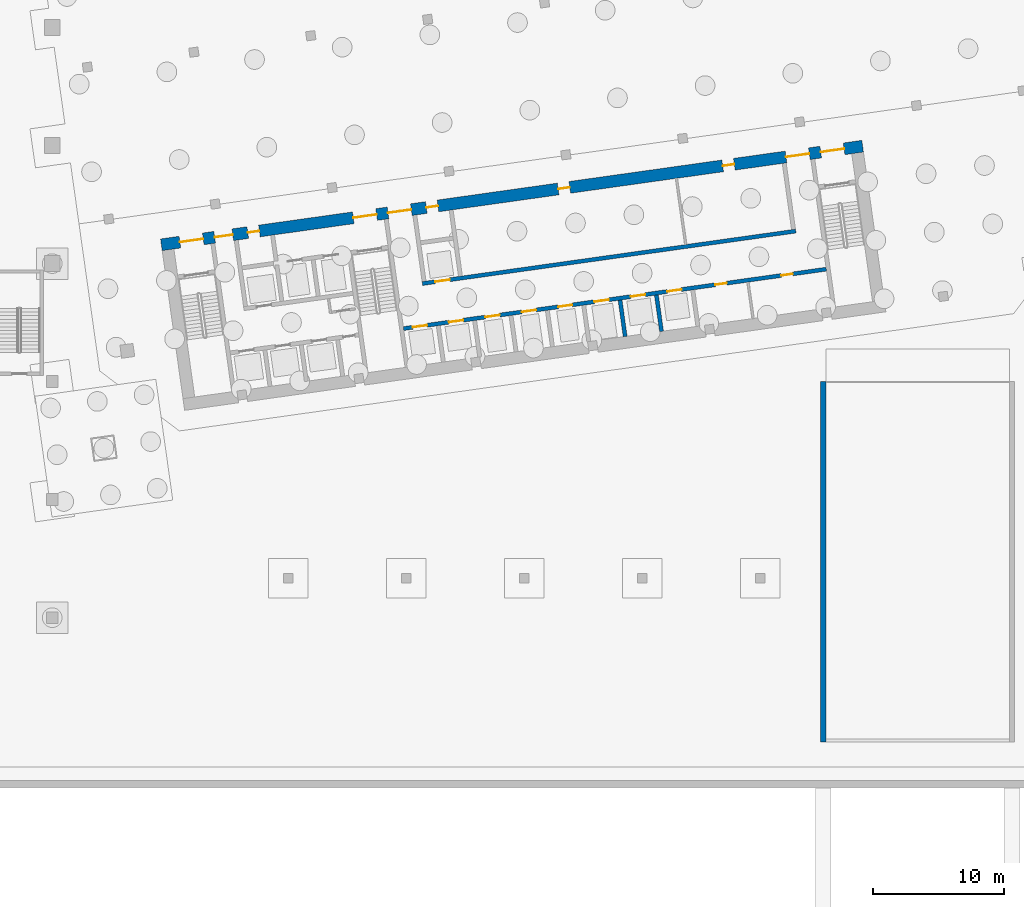
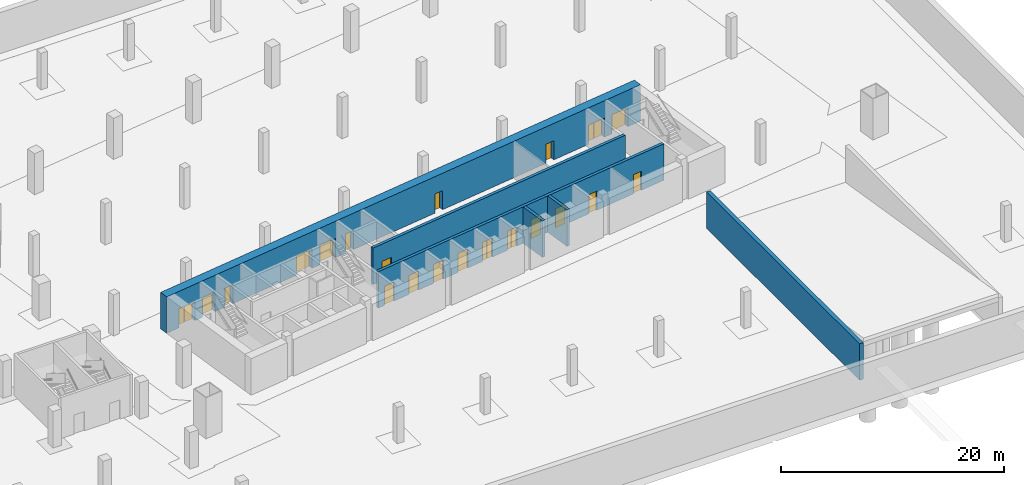
# One storey, part 11 of 19: 21 doors, 6 walls, 21 openings.
"""IFC4 building model written with IfcOpenShell, lengths in metres."""

import ifcopenshell
import ifcopenshell.guid

model = None  # the IFC model being written
_history = None  # IfcOwnerHistory: only IFC2X3 demands one
_inside = {}  # id of a spatial element -> (the spatial element, [elements in it])
_under = {}  # id of a project, library or spatial element -> (it, [spatial elements below it])
_declared = {}  # id of a project -> (the project, [libraries it declares])
_typed = {}  # id of a type object -> (the type object, [elements of that type])
_made_of = {}  # id of a material, layer set ... -> (it, [elements and type objects made of it])


def new_model(schema):
    """Start an empty IFC model of exactly this schema.

    Asked for "IFC4X3", IfcOpenShell would pick the latest addendum, in which some entities
    have other attributes; the version numbers below select the first issue.
    IFC2X3 requires an IfcOwnerHistory on every rooted entity: one is made here for all.
    """
    global model, _history
    if schema == "IFC4X3":
        model = ifcopenshell.file(schema_version=(4, 3, 0, 0))
    else:
        model = ifcopenshell.file(schema=schema)
    _inside.clear()
    _under.clear()
    _declared.clear()
    _typed.clear()
    _made_of.clear()
    _history = None
    if model.schema == "IFC2X3":
        org = make("IfcOrganization", Name="unknown")
        user = make(
            "IfcPersonAndOrganization",
            ThePerson=make("IfcPerson", FamilyName="unknown"),
            TheOrganization=org,
        )
        app = make(
            "IfcApplication",
            ApplicationDeveloper=org,
            Version="unknown",
            ApplicationFullName="unknown",
            ApplicationIdentifier="unknown",
        )
        _history = make(
            "IfcOwnerHistory",
            OwningUser=user,
            OwningApplication=app,
            ChangeAction="ADDED",
            CreationDate=0,
        )
    return model


def make(cls, **values):
    """One entity of the class cls with the attributes given. An attribute that is None is left unset."""
    return model.create_entity(
        cls, **{name: value for name, value in values.items() if value is not None}
    )


def rooted(cls, **values):
    """An entity with a GlobalId (a new one), such as an element, a storey or a relation."""
    return make(cls, GlobalId=ifcopenshell.guid.new(), OwnerHistory=_history, **values)


def si_unit(unit_type, name, prefix=None):
    """IfcSIUnit, for example si_unit("LENGTHUNIT", "METRE", prefix="MILLI")."""
    return make("IfcSIUnit", UnitType=unit_type, Prefix=prefix, Name=name)


def assignment(units):
    """IfcUnitAssignment: the units of a project."""
    return None if units is None else make("IfcUnitAssignment", Units=units)


def point(xyz):
    """IfcCartesianPoint."""
    return None if xyz is None else make("IfcCartesianPoint", Coordinates=xyz)


def direction(xyz):
    """IfcDirection."""
    return None if xyz is None else make("IfcDirection", DirectionRatios=xyz)


def frame(location, z_axis=None, x_axis=None):
    """IfcAxis2Placement3D, a coordinate frame: its origin and axes. An axis left out is left unset."""
    return make(
        "IfcAxis2Placement3D",
        Location=point(location),
        Axis=direction(z_axis),
        RefDirection=direction(x_axis),
    )


def frame_2d(location, x_axis=None):
    """IfcAxis2Placement2D, a coordinate frame in the plane: its origin and x axis."""
    return make(
        "IfcAxis2Placement2D", Location=point(location), RefDirection=direction(x_axis)
    )


def origin():
    """The frame at (0, 0, 0) with its axes left unset."""
    return frame((0.0, 0.0, 0.0))


def place(relative_to, where):
    """IfcLocalPlacement: puts the frame where relative to a parent placement (None: the world)."""
    return make(
        "IfcLocalPlacement", PlacementRelTo=relative_to, RelativePlacement=where
    )


def context(
    kind, dimensions, precision=None, world=None, true_north=None, identifier=None
):
    """IfcGeometricRepresentationContext, for example the 3D "Model" context."""
    return make(
        "IfcGeometricRepresentationContext",
        ContextIdentifier=identifier,
        ContextType=kind,
        CoordinateSpaceDimension=dimensions,
        Precision=precision,
        WorldCoordinateSystem=world,
        TrueNorth=true_north,
    )


def subcontext(parent, identifier, kind, view, scale=None):
    """IfcGeometricRepresentationSubContext, for example "Body" below "Model"."""
    return make(
        "IfcGeometricRepresentationSubContext",
        ContextIdentifier=identifier,
        ContextType=kind,
        ParentContext=parent,
        TargetScale=scale,
        TargetView=view,
    )


def project(units=None, contexts=None):
    """IfcProject with its units and contexts."""
    return rooted(
        "IfcProject",
        Name="project",
        RepresentationContexts=contexts,
        UnitsInContext=assignment(units),
    )


def spatial(cls, under=None, at=None, **own):
    """A site, building, storey or space (cls), placed at a placement, below another one or the project."""
    s = rooted(cls, ObjectPlacement=at, **own)
    if under is not None:
        _under.setdefault(under.id(), (under, []))[1].append(s)
    return s


def profile(cls, at=None, kind="AREA", **sizes):
    """A parametric profile (cls). Its sizes go by their IFC names, for example OverallWidth=200.0."""
    return make(cls, ProfileType=kind, Position=at, **sizes)


def rectangle(**sizes):
    """IfcRectangleProfileDef."""
    return profile("IfcRectangleProfileDef", **sizes)


def extrude(swept, where, along, depth):
    """IfcExtrudedAreaSolid: the profile swept, set in the frame where, extruded along a direction by depth."""
    return make(
        "IfcExtrudedAreaSolid",
        SweptArea=swept,
        Position=where,
        ExtrudedDirection=direction(along),
        Depth=depth,
    )


def shape(context_of_items, identifier, shape_type, items):
    """IfcShapeRepresentation: the items that make up one representation, for example the "Body"."""
    return make(
        "IfcShapeRepresentation",
        ContextOfItems=context_of_items,
        RepresentationIdentifier=identifier,
        RepresentationType=shape_type,
        Items=items,
    )


def material(Name=None, Category=None):
    """IfcMaterial."""
    return make("IfcMaterial", Name=Name, Category=Category)


def layer(
    of_material, thickness, ventilated=None, Name=None, Category=None, Priority=None
):
    """IfcMaterialLayer: one layer of a wall or slab, of a material (None: an air gap)."""
    return make(
        "IfcMaterialLayer",
        Material=of_material,
        LayerThickness=thickness,
        IsVentilated=ventilated,
        Name=Name,
        Category=Category,
        Priority=Priority,
    )


def layer_set(layers, Name=None):
    """IfcMaterialLayerSet."""
    return make("IfcMaterialLayerSet", MaterialLayers=layers, LayerSetName=Name)


def made_of(thing, what):
    """Note that an element or type object is made of a material, layer set ...; save() writes the relation."""
    if what is not None:
        _made_of.setdefault(what.id(), (what, []))[1].append(thing)
    return thing


def type_object(cls, material=None, **own):
    """A type object (cls), such as IfcWallType, which elements share."""
    return made_of(rooted(cls, **own), material)


def element(
    cls,
    number,
    at=None,
    inside=None,
    cuts=None,
    type_object=None,
    material=None,
    context=None,
    identifier="Body",
    shape_type=None,
    held_by="IfcProductDefinitionShape",
    body=None,
    shapes=None,
    **own,
):
    """One element of the class cls, such as IfcWall. Its Tag is "e" and its number.

    at: its placement. inside: the storey or other place that contains it. cuts: it is an
    opening in that element (IfcRelVoidsElement). A single representation is given by context,
    identifier, shape_type and body (its items); several are given by shapes. held_by: the class
    of the entity that holds the representations. save() writes the other relations.
    """
    e = rooted(cls, Tag="e%d" % number, ObjectPlacement=at, **own)
    if body is not None:
        shapes = [shape(context, identifier, shape_type, body)]
    if shapes is not None:
        e.Representation = make(held_by, Representations=shapes)
    if inside is not None:
        _inside.setdefault(inside.id(), (inside, []))[1].append(e)
    if cuts is not None:
        rooted(
            "IfcRelVoidsElement", RelatingBuildingElement=cuts, RelatedOpeningElement=e
        )
    if type_object is not None:
        _typed.setdefault(type_object.id(), (type_object, []))[1].append(e)
    return made_of(e, material)


def fill(opening, filler):
    """IfcRelFillsElement: the door or window that sits in an opening."""
    return rooted(
        "IfcRelFillsElement",
        RelatingOpeningElement=opening,
        RelatedBuildingElement=filler,
    )


def aggregate(whole, parts):
    """IfcRelAggregates: a whole, such as a stair, and the parts it consists of."""
    return rooted("IfcRelAggregates", RelatingObject=whole, RelatedObjects=parts)


def save(model, path):
    """Write the relations noted so far, then the file.

    IfcRelAggregates (storeys below a building ...), IfcRelContainedInSpatialStructure (elements
    in a storey), IfcRelDefinesByType, IfcRelAssociatesMaterial and IfcRelDeclares: one each for
    every whole, place, type object, material and project.
    """
    for whole, parts in _under.values():
        aggregate(whole, parts)
    for where, things in _inside.values():
        rooted(
            "IfcRelContainedInSpatialStructure",
            RelatedElements=things,
            RelatingStructure=where,
        )
    for kind, things in _typed.values():
        rooted("IfcRelDefinesByType", RelatedObjects=things, RelatingType=kind)
    for what, things in _made_of.values():
        rooted("IfcRelAssociatesMaterial", RelatedObjects=things, RelatingMaterial=what)
    for by, libraries in _declared.values():
        rooted("IfcRelDeclares", RelatingContext=by, RelatedDefinitions=libraries)
    model.write(path)


model = new_model("IFC4")

# Units and contexts
model_context = context("Model", 3, precision=1e-05, world=origin(), true_north=direction((0.0, 1.0)))
body_context = subcontext(model_context, "Body", "Model", "MODEL_VIEW")
ifc_project = project(units=[si_unit("LENGTHUNIT", "METRE"), si_unit("AREAUNIT", "SQUARE_METRE"), si_unit("VOLUMEUNIT", "CUBIC_METRE"), si_unit("PLANEANGLEUNIT", "RADIAN"), si_unit("MASSUNIT", "GRAM", prefix="KILO")], contexts=[model_context])

# Site, building, storey
site_placement = place(None, origin())
site = spatial("IfcSite", under=ifc_project, at=site_placement, CompositionType="ELEMENT")
building_placement = place(site_placement, origin())
building = spatial("IfcBuilding", under=site, at=building_placement, Name="Mirante Cascada Hotel Towers", CompositionType="ELEMENT")
storey_placement = place(building_placement, frame((0.0, 0.0, -9.0)))
storey = spatial("IfcBuildingStorey", under=building, at=storey_placement, Name="B2", CompositionType="ELEMENT", Elevation=-9.0)

# Wall, openings, doors
ifc_material_1 = material(Name="Concrete C50/60", Category="concrete")
ifc_layer_1 = layer(ifc_material_1, 0.3)
ifc_layer_set_1 = layer_set([ifc_layer_1], Name="RC core wall 300 C50/60")
wall_type_1 = type_object("IfcWallType", Name="RC core wall 300 C50/60", PredefinedType="SHEAR", material=ifc_layer_set_1)
wall_1_placement = place(storey_placement, frame((53.7953, -13.9547, 0.0), z_axis=(0.0, 0.0, 1.0), x_axis=(0.990268, 0.1391733, 0.0)))
wall_1 = element("IfcWall", 1, at=wall_1_placement, inside=storey, type_object=wall_type_1, Name="Core wall T2:B2:24", PredefinedType="SHEAR", context=body_context, shape_type="SweptSolid", body=[
    extrude(rectangle(XDim=32.5501, YDim=0.3, at=frame_2d((16.275, 0.0))), origin(), (0.0, 0.0, 1.0), 4.0),
])
opening_1_placement = place(wall_1_placement, frame((0.7, 0.0, 0.0)))
opening_1 = element("IfcOpeningElement", 2, at=opening_1_placement, cuts=wall_1, Name="Opening LD", PredefinedType="OPENING", context=body_context, shape_type="SweptSolid", body=[
    extrude(rectangle(XDim=1.1, YDim=2.1, at=frame_2d((0.55, 1.05))), frame((0.0, 0.15, 0.0), z_axis=(0.0, -1.0, 0.0), x_axis=(1.0, 0.0, 0.0)), (0.0, 0.0, 1.0), 0.3),
])
opening_2_placement = place(wall_1_placement, frame((3.5, 0.0, 0.0)))
opening_2 = element("IfcOpeningElement", 3, at=opening_2_placement, cuts=wall_1, Name="Opening LD", PredefinedType="OPENING", context=body_context, shape_type="SweptSolid", body=[
    extrude(rectangle(XDim=1.1, YDim=2.1, at=frame_2d((0.55, 1.05))), frame((0.0, 0.15, 0.0), z_axis=(0.0, -1.0, 0.0), x_axis=(1.0, 0.0, 0.0)), (0.0, 0.0, 1.0), 0.3),
])
opening_3_placement = place(wall_1_placement, frame((6.3, 0.0, 0.0)))
opening_3 = element("IfcOpeningElement", 4, at=opening_3_placement, cuts=wall_1, Name="Opening LD", PredefinedType="OPENING", context=body_context, shape_type="SweptSolid", body=[
    extrude(rectangle(XDim=1.1, YDim=2.1, at=frame_2d((0.55, 1.05))), frame((0.0, 0.15, 0.0), z_axis=(0.0, -1.0, 0.0), x_axis=(1.0, 0.0, 0.0)), (0.0, 0.0, 1.0), 0.3),
])
opening_4_placement = place(wall_1_placement, frame((9.1, 0.0, 0.0)))
opening_4 = element("IfcOpeningElement", 5, at=opening_4_placement, cuts=wall_1, Name="Opening LD", PredefinedType="OPENING", context=body_context, shape_type="SweptSolid", body=[
    extrude(rectangle(XDim=1.1, YDim=2.1, at=frame_2d((0.55, 1.05))), frame((0.0, 0.15, 0.0), z_axis=(0.0, -1.0, 0.0), x_axis=(1.0, 0.0, 0.0)), (0.0, 0.0, 1.0), 0.3),
])
opening_5_placement = place(wall_1_placement, frame((11.9, 0.0, 0.0)))
opening_5 = element("IfcOpeningElement", 6, at=opening_5_placement, cuts=wall_1, Name="Opening LD", PredefinedType="OPENING", context=body_context, shape_type="SweptSolid", body=[
    extrude(rectangle(XDim=1.1, YDim=2.1, at=frame_2d((0.55, 1.05))), frame((0.0, 0.15, 0.0), z_axis=(0.0, -1.0, 0.0), x_axis=(1.0, 0.0, 0.0)), (0.0, 0.0, 1.0), 0.3),
])
opening_6_placement = place(wall_1_placement, frame((14.7, 0.0, 0.0)))
opening_6 = element("IfcOpeningElement", 7, at=opening_6_placement, cuts=wall_1, Name="Opening LD", PredefinedType="OPENING", context=body_context, shape_type="SweptSolid", body=[
    extrude(rectangle(XDim=1.1, YDim=2.1, at=frame_2d((0.55, 1.05))), frame((0.0, 0.15, 0.0), z_axis=(0.0, -1.0, 0.0), x_axis=(1.0, 0.0, 0.0)), (0.0, 0.0, 1.0), 0.3),
])
opening_7_placement = place(wall_1_placement, frame((17.5, 0.0, 0.0)))
opening_7 = element("IfcOpeningElement", 8, at=opening_7_placement, cuts=wall_1, Name="Opening LD", PredefinedType="OPENING", context=body_context, shape_type="SweptSolid", body=[
    extrude(rectangle(XDim=1.1, YDim=2.1, at=frame_2d((0.55, 1.05))), frame((0.0, 0.15, 0.0), z_axis=(0.0, -1.0, 0.0), x_axis=(1.0, 0.0, 0.0)), (0.0, 0.0, 1.0), 0.3),
])
opening_8_placement = place(wall_1_placement, frame((20.3, 0.0, 0.0)))
opening_8 = element("IfcOpeningElement", 9, at=opening_8_placement, cuts=wall_1, Name="Opening LD", PredefinedType="OPENING", context=body_context, shape_type="SweptSolid", body=[
    extrude(rectangle(XDim=1.1, YDim=2.1, at=frame_2d((0.55, 1.05))), frame((0.0, 0.15, 0.0), z_axis=(0.0, -1.0, 0.0), x_axis=(1.0, 0.0, 0.0)), (0.0, 0.0, 1.0), 0.3),
])
opening_9_placement = place(wall_1_placement, frame((24.0, 0.0, 0.0)))
opening_9 = element("IfcOpeningElement", 10, at=opening_9_placement, cuts=wall_1, Name="Opening D2-B2-C28", PredefinedType="OPENING", context=body_context, shape_type="SweptSolid", body=[
    extrude(rectangle(XDim=0.9, YDim=2.1, at=frame_2d((0.45, 1.05))), frame((0.0, 0.15, 0.0), z_axis=(0.0, -1.0, 0.0), x_axis=(1.0, 0.0, 0.0)), (0.0, 0.0, 1.0), 0.3),
])
opening_10_placement = place(wall_1_placement, frame((29.075, 0.0, 0.0)))
opening_10 = element("IfcOpeningElement", 11, at=opening_10_placement, cuts=wall_1, Name="Opening D2-B2-C29", PredefinedType="OPENING", context=body_context, shape_type="SweptSolid", body=[
    extrude(rectangle(XDim=0.9, YDim=2.1, at=frame_2d((0.45, 1.05))), frame((0.0, 0.15, 0.0), z_axis=(0.0, -1.0, 0.0), x_axis=(1.0, 0.0, 0.0)), (0.0, 0.0, 1.0), 0.3),
])
ifc_material_2 = material(Name="Hollow metal fire door leaf")
door_type_1 = type_object("IfcDoorType", Name="Fire door 900x2100 FD60", OperationType="NOTDEFINED", PredefinedType="DOOR", material=ifc_material_2)
door_1_placement = place(opening_9_placement, frame((0.9, 0.0, 0.0), z_axis=(0.0, 0.0, 1.0), x_axis=(-1.0, 0.0, 0.0)))
door_1 = element("IfcDoor", 12, at=door_1_placement, inside=storey, type_object=door_type_1, Name="Room door T2 B2 28", OperationType="SINGLE_SWING_RIGHT", OverallHeight=2.1, OverallWidth=0.9, PredefinedType="DOOR", context=body_context, shape_type="SweptSolid", body=[
    extrude(rectangle(XDim=0.9, YDim=2.1, at=frame_2d((0.45, 1.05))), frame((0.0, 0.025, 0.0), z_axis=(0.0, -1.0, 0.0), x_axis=(1.0, 0.0, 0.0)), (0.0, 0.0, 1.0), 0.05),
])
fill(opening_9, door_1)
door_2_placement = place(opening_10_placement, frame((0.9, 0.0, 0.0), z_axis=(0.0, 0.0, 1.0), x_axis=(-1.0, 0.0, 0.0)))
door_2 = element("IfcDoor", 13, at=door_2_placement, inside=storey, type_object=door_type_1, Name="Room door T2 B2 29", OperationType="SINGLE_SWING_RIGHT", OverallHeight=2.1, OverallWidth=0.9, PredefinedType="DOOR", context=body_context, shape_type="SweptSolid", body=[
    extrude(rectangle(XDim=0.9, YDim=2.1, at=frame_2d((0.45, 1.05))), frame((0.0, 0.025, 0.0), z_axis=(0.0, -1.0, 0.0), x_axis=(1.0, 0.0, 0.0)), (0.0, 0.0, 1.0), 0.05),
])
fill(opening_10, door_2)
ifc_material_3 = material(Name="Stainless steel", Category="steel")
door_type_2 = type_object("IfcDoorType", Name="Lift landing door 1100x2100 EI 120", OperationType="DOUBLE_DOOR_SLIDING", PredefinedType="DOOR", material=ifc_material_3)
door_3_placement = place(opening_1_placement, origin())
door_3 = element("IfcDoor", 14, at=door_3_placement, inside=storey, type_object=door_type_2, Name="Lift landing door LR2-1 B2", OperationType="DOUBLE_DOOR_SLIDING", OverallHeight=2.1, OverallWidth=1.1, PredefinedType="DOOR", context=body_context, shape_type="SweptSolid", body=[
    extrude(rectangle(XDim=0.545, YDim=2.1, at=frame_2d((0.2725, 1.05))), frame((0.0, 0.025, 0.0), z_axis=(0.0, -1.0, 0.0), x_axis=(1.0, 0.0, 0.0)), (0.0, 0.0, 1.0), 0.05),
    extrude(rectangle(XDim=0.545, YDim=2.1, at=frame_2d((0.8275, 1.05))), frame((0.0, 0.025, 0.0), z_axis=(0.0, -1.0, 0.0), x_axis=(1.0, 0.0, 0.0)), (0.0, 0.0, 1.0), 0.05),
])
fill(opening_1, door_3)
door_4_placement = place(opening_2_placement, origin())
door_4 = element("IfcDoor", 15, at=door_4_placement, inside=storey, type_object=door_type_2, Name="Lift landing door LR2-2 B2", OperationType="DOUBLE_DOOR_SLIDING", OverallHeight=2.1, OverallWidth=1.1, PredefinedType="DOOR", context=body_context, shape_type="SweptSolid", body=[
    extrude(rectangle(XDim=0.545, YDim=2.1, at=frame_2d((0.2725, 1.05))), frame((0.0, 0.025, 0.0), z_axis=(0.0, -1.0, 0.0), x_axis=(1.0, 0.0, 0.0)), (0.0, 0.0, 1.0), 0.05),
    extrude(rectangle(XDim=0.545, YDim=2.1, at=frame_2d((0.8275, 1.05))), frame((0.0, 0.025, 0.0), z_axis=(0.0, -1.0, 0.0), x_axis=(1.0, 0.0, 0.0)), (0.0, 0.0, 1.0), 0.05),
])
fill(opening_2, door_4)
door_5_placement = place(opening_3_placement, origin())
door_5 = element("IfcDoor", 16, at=door_5_placement, inside=storey, type_object=door_type_2, Name="Lift landing door SV2-1 B2", OperationType="DOUBLE_DOOR_SLIDING", OverallHeight=2.1, OverallWidth=1.1, PredefinedType="DOOR", context=body_context, shape_type="SweptSolid", body=[
    extrude(rectangle(XDim=0.545, YDim=2.1, at=frame_2d((0.2725, 1.05))), frame((0.0, 0.025, 0.0), z_axis=(0.0, -1.0, 0.0), x_axis=(1.0, 0.0, 0.0)), (0.0, 0.0, 1.0), 0.05),
    extrude(rectangle(XDim=0.545, YDim=2.1, at=frame_2d((0.8275, 1.05))), frame((0.0, 0.025, 0.0), z_axis=(0.0, -1.0, 0.0), x_axis=(1.0, 0.0, 0.0)), (0.0, 0.0, 1.0), 0.05),
])
fill(opening_3, door_5)
door_6_placement = place(opening_4_placement, origin())
door_6 = element("IfcDoor", 17, at=door_6_placement, inside=storey, type_object=door_type_2, Name="Lift landing door SV2-2 B2", OperationType="DOUBLE_DOOR_SLIDING", OverallHeight=2.1, OverallWidth=1.1, PredefinedType="DOOR", context=body_context, shape_type="SweptSolid", body=[
    extrude(rectangle(XDim=0.545, YDim=2.1, at=frame_2d((0.2725, 1.05))), frame((0.0, 0.025, 0.0), z_axis=(0.0, -1.0, 0.0), x_axis=(1.0, 0.0, 0.0)), (0.0, 0.0, 1.0), 0.05),
    extrude(rectangle(XDim=0.545, YDim=2.1, at=frame_2d((0.8275, 1.05))), frame((0.0, 0.025, 0.0), z_axis=(0.0, -1.0, 0.0), x_axis=(1.0, 0.0, 0.0)), (0.0, 0.0, 1.0), 0.05),
])
fill(opening_4, door_6)
door_7_placement = place(opening_5_placement, origin())
door_7 = element("IfcDoor", 18, at=door_7_placement, inside=storey, type_object=door_type_2, Name="Lift landing door SV2-3 B2", OperationType="DOUBLE_DOOR_SLIDING", OverallHeight=2.1, OverallWidth=1.1, PredefinedType="DOOR", context=body_context, shape_type="SweptSolid", body=[
    extrude(rectangle(XDim=0.545, YDim=2.1, at=frame_2d((0.2725, 1.05))), frame((0.0, 0.025, 0.0), z_axis=(0.0, -1.0, 0.0), x_axis=(1.0, 0.0, 0.0)), (0.0, 0.0, 1.0), 0.05),
    extrude(rectangle(XDim=0.545, YDim=2.1, at=frame_2d((0.8275, 1.05))), frame((0.0, 0.025, 0.0), z_axis=(0.0, -1.0, 0.0), x_axis=(1.0, 0.0, 0.0)), (0.0, 0.0, 1.0), 0.05),
])
fill(opening_5, door_7)
door_8_placement = place(opening_6_placement, origin())
door_8 = element("IfcDoor", 19, at=door_8_placement, inside=storey, type_object=door_type_2, Name="Lift landing door SV2-4 B2", OperationType="DOUBLE_DOOR_SLIDING", OverallHeight=2.1, OverallWidth=1.1, PredefinedType="DOOR", context=body_context, shape_type="SweptSolid", body=[
    extrude(rectangle(XDim=0.545, YDim=2.1, at=frame_2d((0.2725, 1.05))), frame((0.0, 0.025, 0.0), z_axis=(0.0, -1.0, 0.0), x_axis=(1.0, 0.0, 0.0)), (0.0, 0.0, 1.0), 0.05),
    extrude(rectangle(XDim=0.545, YDim=2.1, at=frame_2d((0.8275, 1.05))), frame((0.0, 0.025, 0.0), z_axis=(0.0, -1.0, 0.0), x_axis=(1.0, 0.0, 0.0)), (0.0, 0.0, 1.0), 0.05),
])
fill(opening_6, door_8)
door_9_placement = place(opening_7_placement, origin())
door_9 = element("IfcDoor", 20, at=door_9_placement, inside=storey, type_object=door_type_2, Name="Lift landing door PS2-1 B2", OperationType="DOUBLE_DOOR_SLIDING", OverallHeight=2.1, OverallWidth=1.1, PredefinedType="DOOR", context=body_context, shape_type="SweptSolid", body=[
    extrude(rectangle(XDim=0.545, YDim=2.1, at=frame_2d((0.2725, 1.05))), frame((0.0, 0.025, 0.0), z_axis=(0.0, -1.0, 0.0), x_axis=(1.0, 0.0, 0.0)), (0.0, 0.0, 1.0), 0.05),
    extrude(rectangle(XDim=0.545, YDim=2.1, at=frame_2d((0.8275, 1.05))), frame((0.0, 0.025, 0.0), z_axis=(0.0, -1.0, 0.0), x_axis=(1.0, 0.0, 0.0)), (0.0, 0.0, 1.0), 0.05),
])
fill(opening_7, door_9)
door_10_placement = place(opening_8_placement, origin())
door_10 = element("IfcDoor", 21, at=door_10_placement, inside=storey, type_object=door_type_2, Name="Lift landing door PS2-2 B2", OperationType="DOUBLE_DOOR_SLIDING", OverallHeight=2.1, OverallWidth=1.1, PredefinedType="DOOR", context=body_context, shape_type="SweptSolid", body=[
    extrude(rectangle(XDim=0.545, YDim=2.1, at=frame_2d((0.2725, 1.05))), frame((0.0, 0.025, 0.0), z_axis=(0.0, -1.0, 0.0), x_axis=(1.0, 0.0, 0.0)), (0.0, 0.0, 1.0), 0.05),
    extrude(rectangle(XDim=0.545, YDim=2.1, at=frame_2d((0.8275, 1.05))), frame((0.0, 0.025, 0.0), z_axis=(0.0, -1.0, 0.0), x_axis=(1.0, 0.0, 0.0)), (0.0, 0.0, 1.0), 0.05),
])
fill(opening_8, door_10)

# Walls
for number, where, z_axis, x_axis, name in (
    (22, (70.6939, -14.5587, 0.0), (0.0, 0.0, 1.0), (-0.139181, 0.990267, 0.0), "Core wall T2:B2:30"),
    (23, (73.4666, -14.169, 0.0), (0.0, 0.0, 1.0), (-0.139181, 0.990267, 0.0), "Core wall T2:B2:31"),
):
    element("IfcWall", number, at=place(storey_placement, frame(where, z_axis=z_axis, x_axis=x_axis)), inside=storey, type_object=wall_type_1, Name=name, PredefinedType="SHEAR", context=body_context, shape_type="SweptSolid", body=[
        extrude(rectangle(XDim=2.8, YDim=0.3, at=frame_2d((1.4, 0.0))), origin(), (0.0, 0.0, 1.0), 4.0),
    ])

# Wall, opening, door
wall_2_placement = place(storey_placement, frame((55.2315, -10.5214, 0.0), z_axis=(0.0, 0.0, 1.0), x_axis=(0.9902682, 0.1391722, 0.0)))
wall_2 = element("IfcWall", 24, at=wall_2_placement, inside=storey, type_object=wall_type_1, Name="Core wall T2:B2:34", PredefinedType="SHEAR", context=body_context, shape_type="SweptSolid", body=[
    extrude(rectangle(XDim=28.75, YDim=0.3, at=frame_2d((14.375, 0.0))), origin(), (0.0, 0.0, 1.0), 4.0),
])
opening_11_placement = place(wall_2_placement, frame((1.0, 0.0, 0.0)))
opening_11 = element("IfcOpeningElement", 25, at=opening_11_placement, cuts=wall_2, Name="Opening LD", PredefinedType="OPENING", context=body_context, shape_type="SweptSolid", body=[
    extrude(rectangle(XDim=1.1, YDim=2.1, at=frame_2d((0.55, 1.05))), frame((0.0, 0.15, 0.0), z_axis=(0.0, -1.0, 0.0), x_axis=(1.0, 0.0, 0.0)), (0.0, 0.0, 1.0), 0.3),
])
door_11_placement = place(opening_11_placement, origin())
door_11 = element("IfcDoor", 26, at=door_11_placement, inside=storey, type_object=door_type_2, Name="Lift landing door LR2-3 B2", OperationType="DOUBLE_DOOR_SLIDING", OverallHeight=2.1, OverallWidth=1.1, PredefinedType="DOOR", context=body_context, shape_type="SweptSolid", body=[
    extrude(rectangle(XDim=0.545, YDim=2.1, at=frame_2d((0.2725, 1.05))), frame((0.0, 0.025, 0.0), z_axis=(0.0, -1.0, 0.0), x_axis=(1.0, 0.0, 0.0)), (0.0, 0.0, 1.0), 0.05),
    extrude(rectangle(XDim=0.545, YDim=2.1, at=frame_2d((0.8275, 1.05))), frame((0.0, 0.025, 0.0), z_axis=(0.0, -1.0, 0.0), x_axis=(1.0, 0.0, 0.0)), (0.0, 0.0, 1.0), 0.05),
])
fill(opening_11, door_11)

# Wall, openings, doors
ifc_material_4 = material(Name="Concrete C50/60", Category="concrete")
ifc_layer_2 = layer(ifc_material_4, 0.9)
ifc_layer_set_2 = layer_set([ifc_layer_2], Name="RC core wall 900 C50/60")
wall_type_2 = type_object("IfcWallType", Name="RC core wall 900 C50/60", PredefinedType="SHEAR", material=ifc_layer_set_2)
wall_3_placement = place(storey_placement, frame((35.326, -7.5629, 0.0), z_axis=(0.0, 0.0, 1.0), x_axis=(0.9902679, 0.139174, 0.0)))
wall_3 = element("IfcWall", 27, at=wall_3_placement, inside=storey, type_object=wall_type_2, Name="Core wall T2:B2:2", PredefinedType="SHEAR", context=body_context, shape_type="SweptSolid", body=[
    extrude(rectangle(XDim=54.0, YDim=0.9, at=frame_2d((27.0, 0.0))), origin(), (0.0, 0.0, 1.0), 4.0),
])
opening_12_placement = place(wall_3_placement, frame((1.425, 0.0, 0.0)))
opening_12 = element("IfcOpeningElement", 28, at=opening_12_placement, cuts=wall_3, Name="Opening D2-B2-C17", PredefinedType="OPENING", context=body_context, shape_type="SweptSolid", body=[
    extrude(rectangle(XDim=1.8, YDim=2.1, at=frame_2d((0.9, 1.05))), frame((0.0, 0.45, 0.0), z_axis=(0.0, -1.0, 0.0), x_axis=(1.0, 0.0, 0.0)), (0.0, 0.0, 1.0), 0.9),
])
opening_13_placement = place(wall_3_placement, frame((14.775, 0.0, 0.0)))
opening_13 = element("IfcOpeningElement", 29, at=opening_13_placement, cuts=wall_3, Name="Opening D2-B2-C19", PredefinedType="OPENING", context=body_context, shape_type="SweptSolid", body=[
    extrude(rectangle(XDim=1.8, YDim=2.1, at=frame_2d((0.9, 1.05))), frame((0.0, 0.45, 0.0), z_axis=(0.0, -1.0, 0.0), x_axis=(1.0, 0.0, 0.0)), (0.0, 0.0, 1.0), 0.9),
])
opening_14_placement = place(wall_3_placement, frame((50.775, 0.0, 0.0)))
opening_14 = element("IfcOpeningElement", 30, at=opening_14_placement, cuts=wall_3, Name="Opening D2-B2-C21", PredefinedType="OPENING", context=body_context, shape_type="SweptSolid", body=[
    extrude(rectangle(XDim=1.8, YDim=2.1, at=frame_2d((0.9, 1.05))), frame((0.0, 0.45, 0.0), z_axis=(0.0, -1.0, 0.0), x_axis=(1.0, 0.0, 0.0)), (0.0, 0.0, 1.0), 0.9),
])
opening_15_placement = place(wall_3_placement, frame((4.1, 0.0, 0.0)))
opening_15 = element("IfcOpeningElement", 31, at=opening_15_placement, cuts=wall_3, Name="Opening D2-B2-C22", PredefinedType="OPENING", context=body_context, shape_type="SweptSolid", body=[
    extrude(rectangle(XDim=1.4, YDim=2.1, at=frame_2d((0.7, 1.05))), frame((0.0, 0.45, 0.0), z_axis=(0.0, -1.0, 0.0), x_axis=(1.0, 0.0, 0.0)), (0.0, 0.0, 1.0), 0.9),
])
opening_16_placement = place(wall_3_placement, frame((17.45, 0.0, 0.0)))
opening_16 = element("IfcOpeningElement", 32, at=opening_16_placement, cuts=wall_3, Name="Opening D2-B2-C23", PredefinedType="OPENING", context=body_context, shape_type="SweptSolid", body=[
    extrude(rectangle(XDim=1.8, YDim=2.1, at=frame_2d((0.9, 1.05))), frame((0.0, 0.45, 0.0), z_axis=(0.0, -1.0, 0.0), x_axis=(1.0, 0.0, 0.0)), (0.0, 0.0, 1.0), 0.9),
])
opening_17_placement = place(wall_3_placement, frame((48.1, 0.0, 0.0)))
opening_17 = element("IfcOpeningElement", 33, at=opening_17_placement, cuts=wall_3, Name="Opening D2-B2-C24", PredefinedType="OPENING", context=body_context, shape_type="SweptSolid", body=[
    extrude(rectangle(XDim=1.8, YDim=2.1, at=frame_2d((0.9, 1.05))), frame((0.0, 0.45, 0.0), z_axis=(0.0, -1.0, 0.0), x_axis=(1.0, 0.0, 0.0)), (0.0, 0.0, 1.0), 0.9),
])
opening_18_placement = place(wall_3_placement, frame((6.65, 0.0, 0.0)))
opening_18 = element("IfcOpeningElement", 34, at=opening_18_placement, cuts=wall_3, Name="Opening D2-B2-C27", PredefinedType="OPENING", context=body_context, shape_type="SweptSolid", body=[
    extrude(rectangle(XDim=0.9, YDim=2.1, at=frame_2d((0.45, 1.05))), frame((0.0, 0.45, 0.0), z_axis=(0.0, -1.0, 0.0), x_axis=(1.0, 0.0, 0.0)), (0.0, 0.0, 1.0), 0.9),
])
opening_19_placement = place(wall_3_placement, frame((20.4, 0.0, 0.0)))
opening_19 = element("IfcOpeningElement", 35, at=opening_19_placement, cuts=wall_3, Name="Opening D2-B2-C30", PredefinedType="OPENING", context=body_context, shape_type="SweptSolid", body=[
    extrude(rectangle(XDim=0.9, YDim=2.1, at=frame_2d((0.45, 1.05))), frame((0.0, 0.45, 0.0), z_axis=(0.0, -1.0, 0.0), x_axis=(1.0, 0.0, 0.0)), (0.0, 0.0, 1.0), 0.9),
])
opening_20_placement = place(wall_3_placement, frame((30.55, 0.0, 0.0)))
opening_20 = element("IfcOpeningElement", 36, at=opening_20_placement, cuts=wall_3, Name="Opening D2-B2-C31", PredefinedType="OPENING", context=body_context, shape_type="SweptSolid", body=[
    extrude(rectangle(XDim=0.9, YDim=2.1, at=frame_2d((0.45, 1.05))), frame((0.0, 0.45, 0.0), z_axis=(0.0, -1.0, 0.0), x_axis=(1.0, 0.0, 0.0)), (0.0, 0.0, 1.0), 0.9),
])
opening_21_placement = place(wall_3_placement, frame((43.225, 0.0, 0.0)))
opening_21 = element("IfcOpeningElement", 37, at=opening_21_placement, cuts=wall_3, Name="Opening D2-B2-C32", PredefinedType="OPENING", context=body_context, shape_type="SweptSolid", body=[
    extrude(rectangle(XDim=0.9, YDim=2.1, at=frame_2d((0.45, 1.05))), frame((0.0, 0.45, 0.0), z_axis=(0.0, -1.0, 0.0), x_axis=(1.0, 0.0, 0.0)), (0.0, 0.0, 1.0), 0.9),
])
ifc_material_5 = material(Name="Hollow metal fire door leaf")
door_type_3 = type_object("IfcDoorType", Name="Double fire door 1400x2100 FD60", OperationType="DOUBLE_DOOR_SINGLE_SWING", PredefinedType="DOOR", material=ifc_material_5)
door_12_placement = place(opening_15_placement, origin())
door_12 = element("IfcDoor", 38, at=door_12_placement, inside=storey, type_object=door_type_3, Name="Exit door to gallery T2 B2 22", OperationType="DOUBLE_DOOR_SINGLE_SWING", OverallHeight=2.1, OverallWidth=1.4, PredefinedType="DOOR", context=body_context, shape_type="SweptSolid", body=[
    extrude(rectangle(XDim=0.695, YDim=2.1, at=frame_2d((0.3475, 1.05))), frame((0.0, 0.025, 0.0), z_axis=(0.0, -1.0, 0.0), x_axis=(1.0, 0.0, 0.0)), (0.0, 0.0, 1.0), 0.05),
    extrude(rectangle(XDim=0.695, YDim=2.1, at=frame_2d((1.0525, 1.05))), frame((0.0, 0.025, 0.0), z_axis=(0.0, -1.0, 0.0), x_axis=(1.0, 0.0, 0.0)), (0.0, 0.0, 1.0), 0.05),
])
fill(opening_15, door_12)
ifc_material_6 = material(Name="Hollow metal fire door leaf")
door_type_4 = type_object("IfcDoorType", Name="Double fire door 1800x2100 FD60", OperationType="DOUBLE_DOOR_SINGLE_SWING", PredefinedType="DOOR", material=ifc_material_6)
door_13_placement = place(opening_12_placement, frame((1.8, 0.0, 0.0), z_axis=(0.0, 0.0, 1.0), x_axis=(-1.0, 0.0, 0.0)))
door_13 = element("IfcDoor", 39, at=door_13_placement, inside=storey, type_object=door_type_4, Name="Exit door to gallery T2 B2 17", OperationType="DOUBLE_DOOR_SINGLE_SWING", OverallHeight=2.1, OverallWidth=1.8, PredefinedType="DOOR", context=body_context, shape_type="SweptSolid", body=[
    extrude(rectangle(XDim=0.895, YDim=2.1, at=frame_2d((0.4475, 1.05))), frame((0.0, 0.025, 0.0), z_axis=(0.0, -1.0, 0.0), x_axis=(1.0, 0.0, 0.0)), (0.0, 0.0, 1.0), 0.05),
    extrude(rectangle(XDim=0.895, YDim=2.1, at=frame_2d((1.3525, 1.05))), frame((0.0, 0.025, 0.0), z_axis=(0.0, -1.0, 0.0), x_axis=(1.0, 0.0, 0.0)), (0.0, 0.0, 1.0), 0.05),
])
fill(opening_12, door_13)
door_14_placement = place(opening_13_placement, frame((1.8, 0.0, 0.0), z_axis=(0.0, 0.0, 1.0), x_axis=(-1.0, 0.0, 0.0)))
door_14 = element("IfcDoor", 40, at=door_14_placement, inside=storey, type_object=door_type_4, Name="Exit door to gallery T2 B2 19", OperationType="DOUBLE_DOOR_SINGLE_SWING", OverallHeight=2.1, OverallWidth=1.8, PredefinedType="DOOR", context=body_context, shape_type="SweptSolid", body=[
    extrude(rectangle(XDim=0.895, YDim=2.1, at=frame_2d((0.4475, 1.05))), frame((0.0, 0.025, 0.0), z_axis=(0.0, -1.0, 0.0), x_axis=(1.0, 0.0, 0.0)), (0.0, 0.0, 1.0), 0.05),
    extrude(rectangle(XDim=0.895, YDim=2.1, at=frame_2d((1.3525, 1.05))), frame((0.0, 0.025, 0.0), z_axis=(0.0, -1.0, 0.0), x_axis=(1.0, 0.0, 0.0)), (0.0, 0.0, 1.0), 0.05),
])
fill(opening_13, door_14)
door_15_placement = place(opening_14_placement, frame((1.8, 0.0, 0.0), z_axis=(0.0, 0.0, 1.0), x_axis=(-1.0, 0.0, 0.0)))
door_15 = element("IfcDoor", 41, at=door_15_placement, inside=storey, type_object=door_type_4, Name="Exit door to gallery T2 B2 21", OperationType="DOUBLE_DOOR_SINGLE_SWING", OverallHeight=2.1, OverallWidth=1.8, PredefinedType="DOOR", context=body_context, shape_type="SweptSolid", body=[
    extrude(rectangle(XDim=0.895, YDim=2.1, at=frame_2d((0.4475, 1.05))), frame((0.0, 0.025, 0.0), z_axis=(0.0, -1.0, 0.0), x_axis=(1.0, 0.0, 0.0)), (0.0, 0.0, 1.0), 0.05),
    extrude(rectangle(XDim=0.895, YDim=2.1, at=frame_2d((1.3525, 1.05))), frame((0.0, 0.025, 0.0), z_axis=(0.0, -1.0, 0.0), x_axis=(1.0, 0.0, 0.0)), (0.0, 0.0, 1.0), 0.05),
])
fill(opening_14, door_15)
door_16_placement = place(opening_16_placement, origin())
door_16 = element("IfcDoor", 42, at=door_16_placement, inside=storey, type_object=door_type_4, Name="Exit door to gallery T2 B2 23", OperationType="DOUBLE_DOOR_SINGLE_SWING", OverallHeight=2.1, OverallWidth=1.8, PredefinedType="DOOR", context=body_context, shape_type="SweptSolid", body=[
    extrude(rectangle(XDim=0.895, YDim=2.1, at=frame_2d((0.4475, 1.05))), frame((0.0, 0.025, 0.0), z_axis=(0.0, -1.0, 0.0), x_axis=(1.0, 0.0, 0.0)), (0.0, 0.0, 1.0), 0.05),
    extrude(rectangle(XDim=0.895, YDim=2.1, at=frame_2d((1.3525, 1.05))), frame((0.0, 0.025, 0.0), z_axis=(0.0, -1.0, 0.0), x_axis=(1.0, 0.0, 0.0)), (0.0, 0.0, 1.0), 0.05),
])
fill(opening_16, door_16)
door_17_placement = place(opening_17_placement, origin())
door_17 = element("IfcDoor", 43, at=door_17_placement, inside=storey, type_object=door_type_4, Name="Exit door to gallery T2 B2 24", OperationType="DOUBLE_DOOR_SINGLE_SWING", OverallHeight=2.1, OverallWidth=1.8, PredefinedType="DOOR", context=body_context, shape_type="SweptSolid", body=[
    extrude(rectangle(XDim=0.895, YDim=2.1, at=frame_2d((0.4475, 1.05))), frame((0.0, 0.025, 0.0), z_axis=(0.0, -1.0, 0.0), x_axis=(1.0, 0.0, 0.0)), (0.0, 0.0, 1.0), 0.05),
    extrude(rectangle(XDim=0.895, YDim=2.1, at=frame_2d((1.3525, 1.05))), frame((0.0, 0.025, 0.0), z_axis=(0.0, -1.0, 0.0), x_axis=(1.0, 0.0, 0.0)), (0.0, 0.0, 1.0), 0.05),
])
fill(opening_17, door_17)
door_18_placement = place(opening_18_placement, frame((0.9, 0.0, 0.0), z_axis=(0.0, 0.0, 1.0), x_axis=(-1.0, 0.0, 0.0)))
door_18 = element("IfcDoor", 44, at=door_18_placement, inside=storey, type_object=door_type_1, Name="Room door T2 B2 27", OperationType="SINGLE_SWING_LEFT", OverallHeight=2.1, OverallWidth=0.9, PredefinedType="DOOR", context=body_context, shape_type="SweptSolid", body=[
    extrude(rectangle(XDim=0.9, YDim=2.1, at=frame_2d((0.45, 1.05))), frame((0.0, 0.025, 0.0), z_axis=(0.0, -1.0, 0.0), x_axis=(1.0, 0.0, 0.0)), (0.0, 0.0, 1.0), 0.05),
])
fill(opening_18, door_18)
door_19_placement = place(opening_19_placement, frame((0.9, 0.0, 0.0), z_axis=(0.0, 0.0, 1.0), x_axis=(-1.0, 0.0, 0.0)))
door_19 = element("IfcDoor", 45, at=door_19_placement, inside=storey, type_object=door_type_1, Name="Room door T2 B2 30", OperationType="SINGLE_SWING_LEFT", OverallHeight=2.1, OverallWidth=0.9, PredefinedType="DOOR", context=body_context, shape_type="SweptSolid", body=[
    extrude(rectangle(XDim=0.9, YDim=2.1, at=frame_2d((0.45, 1.05))), frame((0.0, 0.025, 0.0), z_axis=(0.0, -1.0, 0.0), x_axis=(1.0, 0.0, 0.0)), (0.0, 0.0, 1.0), 0.05),
])
fill(opening_19, door_19)
door_20_placement = place(opening_20_placement, frame((0.9, 0.0, 0.0), z_axis=(0.0, 0.0, 1.0), x_axis=(-1.0, 0.0, 0.0)))
door_20 = element("IfcDoor", 46, at=door_20_placement, inside=storey, type_object=door_type_1, Name="Room door T2 B2 31", OperationType="SINGLE_SWING_RIGHT", OverallHeight=2.1, OverallWidth=0.9, PredefinedType="DOOR", context=body_context, shape_type="SweptSolid", body=[
    extrude(rectangle(XDim=0.9, YDim=2.1, at=frame_2d((0.45, 1.05))), frame((0.0, 0.025, 0.0), z_axis=(0.0, -1.0, 0.0), x_axis=(1.0, 0.0, 0.0)), (0.0, 0.0, 1.0), 0.05),
])
fill(opening_20, door_20)
door_21_placement = place(opening_21_placement, frame((0.9, 0.0, 0.0), z_axis=(0.0, 0.0, 1.0), x_axis=(-1.0, 0.0, 0.0)))
door_21 = element("IfcDoor", 47, at=door_21_placement, inside=storey, type_object=door_type_1, Name="Room door T2 B2 32", OperationType="SINGLE_SWING_RIGHT", OverallHeight=2.1, OverallWidth=0.9, PredefinedType="DOOR", context=body_context, shape_type="SweptSolid", body=[
    extrude(rectangle(XDim=0.9, YDim=2.1, at=frame_2d((0.45, 1.05))), frame((0.0, 0.025, 0.0), z_axis=(0.0, -1.0, 0.0), x_axis=(1.0, 0.0, 0.0)), (0.0, 0.0, 1.0), 0.05),
])
fill(opening_21, door_21)

# Wall
ifc_material_7 = material(Name="Concrete C35/45", Category="concrete")
ifc_layer_3 = layer(ifc_material_7, 0.4)
ifc_layer_set_3 = layer_set([ifc_layer_3], Name="Ramp wall 400 C35/45")
wall_type_3 = type_object("IfcWallType", Name="Ramp wall 400 C35/45", PredefinedType="SOLIDWALL", material=ifc_layer_set_3)
wall_4_placement = place(storey_placement, frame((85.8, -18.0, 0.0), z_axis=(0.0, 0.0, 1.0), x_axis=(0.0, -1.0, 0.0)))
element("IfcWall", 48, at=wall_4_placement, inside=storey, type_object=wall_type_3, Name="wall:B:B2:21", PredefinedType="SOLIDWALL", context=body_context, shape_type="SweptSolid", body=[
    extrude(rectangle(XDim=27.5, YDim=0.4, at=frame_2d((13.75, 0.0))), origin(), (0.0, 0.0, 1.0), 4.0),
])

save(model, "model.ifc")
